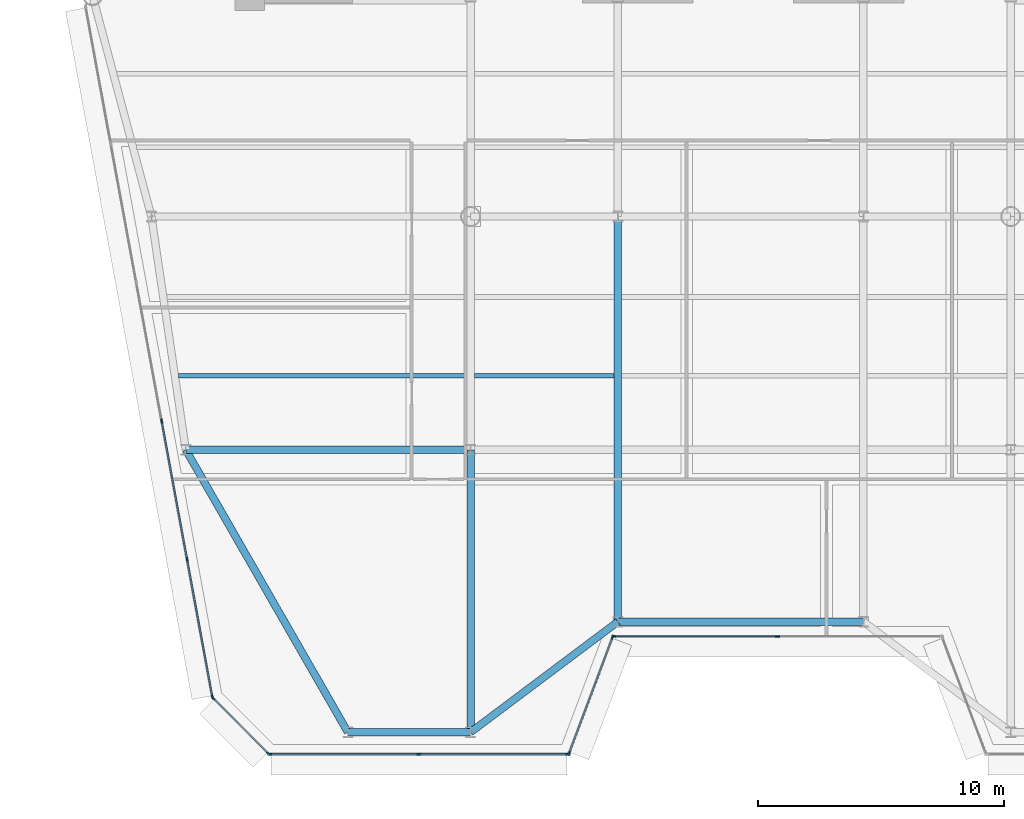
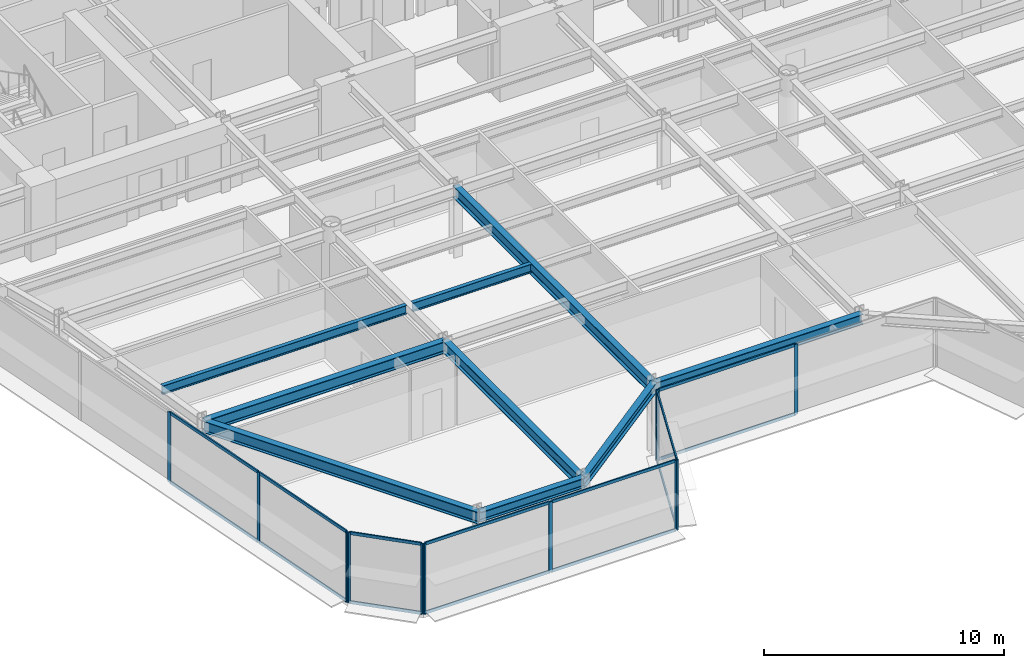
# One storey, part 2 of 16: 26 members, 9 beams, 5 elements without a shape of their own.
"""IFC4 building model written with IfcOpenShell, lengths in metres."""

from ifc_helpers import new_model, si_unit, direction, frame, origin, origin_2d, place, context, subcontext, project, spatial, rectangle, i_section, extrude, source, transform, mapped, material, layer, layer_set, material_profile, profile_set, type_object, element, aggregate, save


model = new_model("IFC4")

# Units and contexts
model_context = context("Model", 3, precision=1e-05, world=origin(), true_north=direction((0.0, 1.0)))
body_context = subcontext(model_context, "Body", "Model", "MODEL_VIEW")
ifc_project = project(units=[si_unit("LENGTHUNIT", "METRE"), si_unit("AREAUNIT", "SQUARE_METRE"), si_unit("VOLUMEUNIT", "CUBIC_METRE"), si_unit("PLANEANGLEUNIT", "RADIAN"), si_unit("MASSUNIT", "GRAM", prefix="KILO")], contexts=[model_context])

# Site, building, storey
site_placement = place(None, origin())
site = spatial("IfcSite", under=ifc_project, at=site_placement, CompositionType="ELEMENT")
building_placement = place(site_placement, origin())
building = spatial("IfcBuilding", under=site, at=building_placement, Name="Vaeldorn Concourse Tower", CompositionType="ELEMENT")
storey_placement = place(building_placement, frame((0.0, 0.0, 188.0)))
storey = spatial("IfcBuildingStorey", under=building, at=storey_placement, Name="L48", CompositionType="ELEMENT", Elevation=188.0)

# Beams
ifc_material_1 = material(Name="Steel S355", Category="steel")
ifc_material_profile_1 = material_profile(ifc_material_1, i_section(OverallWidth=0.300048828125, OverallDepth=0.5, WebThickness=0.014404296875, FlangeThickness=0.028076171875, FilletRadius=0.027099609375, at=origin_2d()), Name="HEB 500")
ifc_profile_set_1 = profile_set([ifc_material_profile_1], Name="Steel S355")
beam_type_1 = type_object("IfcBeamType", Name="BM-SP-HEB500", PredefinedType="SPANDREL", material=ifc_profile_set_1)
shared_shape_1 = source(origin(), body_context, "Body", "SweptSolid", [
    extrude(i_section(OverallWidth=0.300048828125, OverallDepth=0.5, WebThickness=0.014404296875, FlangeThickness=0.028076171875, FilletRadius=0.027099609375, at=origin_2d()), origin(), (0.0, 0.0, 1.0), 5.0),
])
beam_1_placement = place(storey_placement, frame((18.0, 6.5, 3.330078125), z_axis=(1.0, 0.0, 0.0), x_axis=(0.0, 1.0, 0.0)))
element("IfcBeam", 1, at=beam_1_placement, inside=storey, type_object=beam_type_1, Name="Beam BM-L48-C-SF1-C-SF2", PredefinedType="SPANDREL", context=body_context, shape_type="MappedRepresentation", body=[
    mapped(shared_shape_1, transform((0.0, 0.0, 0.0), scale=1.0)),
])
shared_shape_2 = source(origin(), body_context, "Body", "SweptSolid", [
    extrude(i_section(OverallWidth=0.300048828125, OverallDepth=0.5, WebThickness=0.014404296875, FlangeThickness=0.028076171875, FilletRadius=0.027099609375, at=origin_2d()), origin(), (0.0, 0.0, 1.0), 7.5),
])
beam_2_placement = place(storey_placement, frame((23.0, 6.5, 3.330078125), z_axis=(0.8, 0.6, 0.0), x_axis=(-0.6, 0.8, 0.0)))
element("IfcBeam", 2, at=beam_2_placement, inside=storey, type_object=beam_type_1, Name="Beam BM-L48-C-SF2-C-SF3", PredefinedType="SPANDREL", context=body_context, shape_type="MappedRepresentation", body=[
    mapped(shared_shape_2, transform((0.0, 0.0, 0.0), scale=1.0)),
])
shared_shape_3 = source(origin(), body_context, "Body", "SweptSolid", [
    extrude(i_section(OverallWidth=0.300048828125, OverallDepth=0.5, WebThickness=0.014404296875, FlangeThickness=0.028076171875, FilletRadius=0.027099609375, at=origin_2d()), origin(), (0.0, 0.0, 1.0), 10.0),
])
beam_3_placement = place(storey_placement, frame((29.0, 11.0, 3.330078125), z_axis=(1.0, 0.0, 0.0), x_axis=(0.0, 1.0, 0.0)))
element("IfcBeam", 3, at=beam_3_placement, inside=storey, type_object=beam_type_1, Name="Beam BM-L48-C-SF3-C-SF4", PredefinedType="SPANDREL", context=body_context, shape_type="MappedRepresentation", body=[
    mapped(shared_shape_3, transform((0.0, 0.0, 0.0), scale=1.0)),
])
ifc_material_profile_2 = material_profile(ifc_material_1, i_section(OverallWidth=0.18994140625, OverallDepth=0.449951171875, WebThickness=0.009521484375, FlangeThickness=0.0146484375, FilletRadius=0.02099609375, at=origin_2d()), Name="IPE 450")
ifc_profile_set_2 = profile_set([ifc_material_profile_2], Name="Steel S355")
beam_type_2 = type_object("IfcBeamType", Name="BM-JS-IPE450", PredefinedType="JOIST", material=ifc_profile_set_2)
shared_shape_4 = source(origin(), body_context, "Body", "SweptSolid", [
    extrude(i_section(OverallWidth=0.18994140625, OverallDepth=0.449951171875, WebThickness=0.009521484375, FlangeThickness=0.0146484375, FilletRadius=0.02099609375, at=origin_2d()), origin(), (0.0, 0.0, 1.0), 5.7001953125),
])
beam_4_placement = place(storey_placement, frame((23.14990234375, 21.02001953125, 3.35498046875), z_axis=(1.0, 0.0, 0.0), x_axis=(0.0, 1.0, 0.0)))
element("IfcBeam", 4, at=beam_4_placement, inside=storey, type_object=beam_type_2, Name="Beam JS-L48-W2-210", PredefinedType="JOIST", context=body_context, shape_type="MappedRepresentation", body=[
    mapped(shared_shape_4, transform((0.0, 0.0, 0.0), scale=1.0)),
])
shared_shape_5 = source(origin(), body_context, "Body", "SweptSolid", [
    extrude(i_section(OverallWidth=0.18994140625, OverallDepth=0.449951171875, WebThickness=0.009521484375, FlangeThickness=0.0146484375, FilletRadius=0.02099609375, at=origin_2d()), origin(), (0.0, 0.0, 1.0), 11.7451171875),
])
beam_5_placement = place(storey_placement, frame((11.10498046875, 21.02001953125, 3.35498046875), z_axis=(1.0, 0.0, 0.0), x_axis=(0.0, 1.0, 0.0)))
element("IfcBeam", 5, at=beam_5_placement, inside=storey, type_object=beam_type_2, Name="Beam JS-L48-W1-210", PredefinedType="JOIST", context=body_context, shape_type="MappedRepresentation", body=[
    mapped(shared_shape_5, transform((0.0, 0.0, 0.0), scale=1.0)),
])
ifc_material_profile_3 = material_profile(ifc_material_1, i_section(OverallWidth=0.300048828125, OverallDepth=0.60009765625, WebThickness=0.015380859375, FlangeThickness=0.030029296875, FilletRadius=0.027099609375, at=origin_2d()), Name="HEB 600")
ifc_profile_set_3 = profile_set([ifc_material_profile_3], Name="Steel S355")
beam_type_3 = type_object("IfcBeamType", Name="BM-PG-HEB600", PredefinedType="BEAM", material=ifc_profile_set_3)
shared_shape_6 = source(origin(), body_context, "Body", "SweptSolid", [
    extrude(i_section(OverallWidth=0.300048828125, OverallDepth=0.60009765625, WebThickness=0.015380859375, FlangeThickness=0.030029296875, FilletRadius=0.027099609375, at=origin_2d()), origin(), (0.0, 0.0, 1.0), 11.60009765625),
])
beam_6_placement = place(storey_placement, frame((11.39990234375, 18.0, 3.280029296875), z_axis=(1.0, 0.0, 0.0), x_axis=(0.0, 1.0, 0.0)))
element("IfcBeam", 6, at=beam_6_placement, inside=storey, type_object=beam_type_3, Name="Beam BM-L48-C-FLW2-C-TW5", PredefinedType="BEAM", context=body_context, shape_type="MappedRepresentation", body=[
    mapped(shared_shape_6, transform((0.0, 0.0, 0.0), scale=1.0)),
])
shared_shape_7 = source(origin(), body_context, "Body", "SweptSolid", [
    extrude(i_section(OverallWidth=0.300048828125, OverallDepth=0.60009765625, WebThickness=0.015380859375, FlangeThickness=0.030029296875, FilletRadius=0.027099609375, at=origin_2d()), origin(), (0.0, 0.0, 1.0), 13.25927734375),
])
beam_7_placement = place(storey_placement, frame((18.0, 6.5, 3.280029296875), z_axis=(-0.497768009943, 0.867310214558, 0.0), x_axis=(-0.867310214558, -0.497768009943, 0.0)))
element("IfcBeam", 7, at=beam_7_placement, inside=storey, type_object=beam_type_3, Name="Beam BM-L48-C-SF1-C-FLW2", PredefinedType="BEAM", context=body_context, shape_type="MappedRepresentation", body=[
    mapped(shared_shape_7, transform((0.0, 0.0, 0.0), scale=1.0)),
])
shared_shape_8 = source(origin(), body_context, "Body", "SweptSolid", [
    extrude(i_section(OverallWidth=0.300048828125, OverallDepth=0.60009765625, WebThickness=0.015380859375, FlangeThickness=0.030029296875, FilletRadius=0.027099609375, at=origin_2d()), origin(), (0.0, 0.0, 1.0), 11.5),
])
beam_8_placement = place(storey_placement, frame((23.0, 6.5, 3.280029296875), z_axis=(0.0, 1.0, 0.0), x_axis=(-1.0, 0.0, 0.0)))
element("IfcBeam", 8, at=beam_8_placement, inside=storey, type_object=beam_type_3, Name="Beam BM-L48-C-SF2-C-TW5", PredefinedType="BEAM", context=body_context, shape_type="MappedRepresentation", body=[
    mapped(shared_shape_8, transform((0.0, 0.0, 0.0), scale=1.0)),
])
shared_shape_9 = source(origin(), body_context, "Body", "SweptSolid", [
    extrude(i_section(OverallWidth=0.300048828125, OverallDepth=0.60009765625, WebThickness=0.015380859375, FlangeThickness=0.030029296875, FilletRadius=0.027099609375, at=origin_2d()), origin(), (0.0, 0.0, 1.0), 16.5),
])
beam_9_placement = place(storey_placement, frame((29.0, 11.0, 3.280029296875), z_axis=(0.0, 1.0, 0.0), x_axis=(-1.0, 0.0, 0.0)))
element("IfcBeam", 9, at=beam_9_placement, inside=storey, type_object=beam_type_3, Name="Beam BM-L48-C-SF3-C-TW2", PredefinedType="BEAM", context=body_context, shape_type="MappedRepresentation", body=[
    mapped(shared_shape_9, transform((0.0, 0.0, 0.0), scale=1.0)),
])

# Curtain wall, members
ifc_material_2 = material(Name="Anodised Bronze Aluminium", Category="aluminium")
ifc_layer = layer(ifc_material_2, 0.18994140625)
ifc_layer_set = layer_set([ifc_layer], Name="Anodised Bronze Aluminium")
curtain_wall_type = type_object("IfcCurtainWallType", Name="CW-SYS-03", PredefinedType="NOTDEFINED", material=ifc_layer_set)
curtain_wall_1_placement = place(storey_placement, origin())
curtain_wall_1 = element("IfcCurtainWall", 10, at=curtain_wall_1_placement, inside=storey, type_object=curtain_wall_type, Name="Unitised Curtain Wall CW-L48-E02-1", PredefinedType="NOTDEFINED")
ifc_material_profile_4 = material_profile(ifc_material_2, rectangle(XDim=0.06494140625, YDim=0.14990234375, at=origin_2d()), Name="CWT 65x150")
ifc_profile_set_4 = profile_set([ifc_material_profile_4], Name="Anodised Bronze Aluminium")
member_type_1 = type_object("IfcMemberType", Name="CWT-BRONZE-150", PredefinedType="USERDEFINED", material=ifc_profile_set_4)
shared_shape_10 = source(origin(), body_context, "Body", "SweptSolid", [
    extrude(rectangle(XDim=0.06494140625, YDim=0.14990234375, at=origin_2d()), origin(), (0.0, 0.0, 1.0), 4.996337890625),
])
member_1_placement = place(storey_placement, frame((27.022705078125, 5.660888671875, 0.032470703125), z_axis=(0.351134151405, 0.936325161318, 0.0), x_axis=(-0.936325161318, 0.351134151405, 0.0)))
member_1 = element("IfcMember", 11, at=member_1_placement, type_object=member_type_1, Name="CW-03 transom 1.1", ObjectType="TRANSOM", PredefinedType="USERDEFINED", context=body_context, shape_type="MappedRepresentation", body=[
    mapped(shared_shape_10, transform((0.0, 0.0, 0.0), scale=1.0)),
])
member_2_placement = place(storey_placement, frame((27.022705078125, 5.660888671875, 3.547607421875), z_axis=(0.351134151405, 0.936325161318, 0.0), x_axis=(-0.936325161318, 0.351134151405, 0.0)))
member_2 = element("IfcMember", 12, at=member_2_placement, type_object=member_type_1, Name="CW-03 transom 1.2", ObjectType="TRANSOM", PredefinedType="USERDEFINED", context=body_context, shape_type="MappedRepresentation", body=[
    mapped(shared_shape_10, transform((0.0, 0.0, 0.0), scale=1.0)),
])

curtain_wall_2_placement = place(storey_placement, origin())
curtain_wall_2 = element("IfcCurtainWall", 13, at=curtain_wall_2_placement, inside=storey, type_object=curtain_wall_type, Name="Unitised Curtain Wall CW-L48-E03-1", PredefinedType="NOTDEFINED")
shared_shape_11 = source(origin(), body_context, "Body", "SweptSolid", [
    extrude(rectangle(XDim=0.06494140625, YDim=0.14990234375, at=origin_2d()), origin(), (0.0, 0.0, 1.0), 6.6025390625),
])
member_3_placement = place(storey_placement, frame((28.864990234375, 10.39990234375, 0.032470703125), z_axis=(1.0, 0.0, 0.0), x_axis=(0.0, 1.0, 0.0)))
member_3 = element("IfcMember", 14, at=member_3_placement, type_object=member_type_1, Name="CW-03 transom 1.1", ObjectType="TRANSOM", PredefinedType="USERDEFINED", context=body_context, shape_type="MappedRepresentation", body=[
    mapped(shared_shape_11, transform((0.0, 0.0, 0.0), scale=1.0)),
])
member_4_placement = place(storey_placement, frame((28.864990234375, 10.39990234375, 3.547607421875), z_axis=(1.0, 0.0, 0.0), x_axis=(0.0, 1.0, 0.0)))
member_4 = element("IfcMember", 15, at=member_4_placement, type_object=member_type_1, Name="CW-03 transom 1.2", ObjectType="TRANSOM", PredefinedType="USERDEFINED", context=body_context, shape_type="MappedRepresentation", body=[
    mapped(shared_shape_11, transform((0.0, 0.0, 0.0), scale=1.0)),
])

curtain_wall_3_placement = place(storey_placement, origin())
curtain_wall_3 = element("IfcCurtainWall", 16, at=curtain_wall_3_placement, inside=storey, type_object=curtain_wall_type, Name="Unitised Curtain Wall CW-L48-E01-1", PredefinedType="NOTDEFINED")
ifc_material_profile_5 = material_profile(ifc_material_2, rectangle(XDim=0.06494140625, YDim=0.169921875, at=origin_2d()), Name="CWM 65x170")
ifc_profile_set_5 = profile_set([ifc_material_profile_5], Name="Anodised Bronze Aluminium")
member_type_2 = type_object("IfcMemberType", Name="CWM-BRONZE-170", PredefinedType="MULLION", material=ifc_profile_set_5)
shared_shape_12 = source(origin(), body_context, "Body", "SweptSolid", [
    extrude(rectangle(XDim=0.06494140625, YDim=0.169921875, at=origin_2d()), origin(), (0.0, 0.0, 1.0), 3.580078125),
])
member_5_placement = place(storey_placement, frame((14.823486328125, 5.60009765625, 0.0), z_axis=(0.0, 0.0, 1.0), x_axis=(0.0, 1.0, 0.0)))
member_5 = element("IfcMember", 17, at=member_5_placement, type_object=member_type_2, Name="CW-03 mullion 1", PredefinedType="MULLION", context=body_context, shape_type="MappedRepresentation", body=[
    mapped(shared_shape_12, transform((0.0, 0.0, 0.0), scale=1.0)),
])
member_6_placement = place(storey_placement, frame((20.8955078125, 5.60009765625, 0.0), z_axis=(0.0, 0.0, 1.0), x_axis=(0.0, 1.0, 0.0)))
member_6 = element("IfcMember", 18, at=member_6_placement, type_object=member_type_2, Name="CW-03 mullion 2", PredefinedType="MULLION", context=body_context, shape_type="MappedRepresentation", body=[
    mapped(shared_shape_12, transform((0.0, 0.0, 0.0), scale=1.0)),
])
member_7_placement = place(storey_placement, frame((26.967529296875, 5.60009765625, 0.0), z_axis=(0.0, 0.0, 1.0), x_axis=(0.0, 1.0, 0.0)))
member_7 = element("IfcMember", 19, at=member_7_placement, type_object=member_type_2, Name="CW-03 mullion 3", PredefinedType="MULLION", context=body_context, shape_type="MappedRepresentation", body=[
    mapped(shared_shape_12, transform((0.0, 0.0, 0.0), scale=1.0)),
])

# Member
member_8_placement = place(storey_placement, frame((27.011474609375, 5.63037109375, 0.0), z_axis=(0.0, 0.0, 1.0), x_axis=(-0.936329177566, 0.351123441595, 0.0)))
member_8 = element("IfcMember", 20, at=member_8_placement, type_object=member_type_2, Name="CW-03 mullion 1", PredefinedType="MULLION", context=body_context, shape_type="MappedRepresentation", body=[
    mapped(shared_shape_12, transform((0.0, 0.0, 0.0), scale=1.0)),
])

member_9_placement = place(storey_placement, frame((28.78857421875, 10.36962890625, 0.0), z_axis=(0.0, 0.0, 1.0), x_axis=(-0.936329177566, 0.351123441595, 0.0)))
member_9 = element("IfcMember", 21, at=member_9_placement, type_object=member_type_2, Name="CW-03 mullion 2", PredefinedType="MULLION", context=body_context, shape_type="MappedRepresentation", body=[
    mapped(shared_shape_12, transform((0.0, 0.0, 0.0), scale=1.0)),
])

aggregate(curtain_wall_1, [member_8, member_9, member_1, member_2])

member_10_placement = place(storey_placement, frame((28.83251953125, 10.39990234375, 0.0), z_axis=(0.0, 0.0, 1.0), x_axis=(0.0, 1.0, 0.0)))
member_10 = element("IfcMember", 22, at=member_10_placement, type_object=member_type_2, Name="CW-03 mullion 1", PredefinedType="MULLION", context=body_context, shape_type="MappedRepresentation", body=[
    mapped(shared_shape_12, transform((0.0, 0.0, 0.0), scale=1.0)),
])

member_11_placement = place(storey_placement, frame((35.5, 10.39990234375, 0.0), z_axis=(0.0, 0.0, 1.0), x_axis=(0.0, 1.0, 0.0)))
member_11 = element("IfcMember", 23, at=member_11_placement, type_object=member_type_2, Name="CW-03 mullion 2", PredefinedType="MULLION", context=body_context, shape_type="MappedRepresentation", body=[
    mapped(shared_shape_12, transform((0.0, 0.0, 0.0), scale=1.0)),
])

aggregate(curtain_wall_2, [member_10, member_11, member_3, member_4])

# Curtain wall, members
curtain_wall_4_placement = place(storey_placement, origin())
curtain_wall_4 = element("IfcCurtainWall", 24, at=curtain_wall_4_placement, inside=storey, type_object=curtain_wall_type, Name="Unitised Curtain Wall CW-L48-E11-2", PredefinedType="NOTDEFINED")
member_12_placement = place(storey_placement, frame((10.421142578125, 19.17333984375, 0.0), z_axis=(0.0, 0.0, 1.0), x_axis=(0.983559325018, 0.180585309951, 0.0)))
member_12 = element("IfcMember", 25, at=member_12_placement, type_object=member_type_2, Name="CW-03 mullion 4", PredefinedType="MULLION", context=body_context, shape_type="MappedRepresentation", body=[
    mapped(shared_shape_12, transform((0.0, 0.0, 0.0), scale=1.0)),
])
member_13_placement = place(storey_placement, frame((11.4560546875, 13.53662109375, 0.0), z_axis=(0.0, 0.0, 1.0), x_axis=(0.983559325018, 0.180585309951, 0.0)))
member_13 = element("IfcMember", 26, at=member_13_placement, type_object=member_type_2, Name="CW-03 mullion 5", PredefinedType="MULLION", context=body_context, shape_type="MappedRepresentation", body=[
    mapped(shared_shape_12, transform((0.0, 0.0, 0.0), scale=1.0)),
])
member_14_placement = place(storey_placement, frame((12.485107421875, 7.931884765625, 0.0), z_axis=(0.0, 0.0, 1.0), x_axis=(0.983559325018, 0.180585309951, 0.0)))
member_14 = element("IfcMember", 27, at=member_14_placement, type_object=member_type_2, Name="CW-03 mullion 6", PredefinedType="MULLION", context=body_context, shape_type="MappedRepresentation", body=[
    mapped(shared_shape_12, transform((0.0, 0.0, 0.0), scale=1.0)),
])

curtain_wall_5_placement = place(storey_placement, origin())
curtain_wall_5 = element("IfcCurtainWall", 28, at=curtain_wall_5_placement, inside=storey, type_object=curtain_wall_type, Name="Unitised Curtain Wall CW-L48-E12-1", PredefinedType="NOTDEFINED")
member_15_placement = place(storey_placement, frame((12.513916015625, 7.876953125, 0.0), z_axis=(0.0, 0.0, 1.0), x_axis=(0.707106781187, 0.707106781187, 0.0)))
member_15 = element("IfcMember", 29, at=member_15_placement, type_object=member_type_2, Name="CW-03 mullion 1", PredefinedType="MULLION", context=body_context, shape_type="MappedRepresentation", body=[
    mapped(shared_shape_12, transform((0.0, 0.0, 0.0), scale=1.0)),
])
member_16_placement = place(storey_placement, frame((14.76806640625, 5.623046875, 0.0), z_axis=(0.0, 0.0, 1.0), x_axis=(0.707106781187, 0.707106781187, 0.0)))
member_16 = element("IfcMember", 30, at=member_16_placement, type_object=member_type_2, Name="CW-03 mullion 2", PredefinedType="MULLION", context=body_context, shape_type="MappedRepresentation", body=[
    mapped(shared_shape_12, transform((0.0, 0.0, 0.0), scale=1.0)),
])
shared_shape_13 = source(origin(), body_context, "Body", "SweptSolid", [
    extrude(rectangle(XDim=0.06494140625, YDim=0.14990234375, at=origin_2d()), origin(), (0.0, 0.0, 1.0), 3.122802734375),
])
member_17_placement = place(storey_placement, frame((12.536865234375, 7.85400390625, 0.032470703125), z_axis=(0.707145870536, -0.707067689676, 0.0), x_axis=(0.707067689676, 0.707145870536, 0.0)))
member_17 = element("IfcMember", 31, at=member_17_placement, type_object=member_type_1, Name="CW-03 transom 1.1", ObjectType="TRANSOM", PredefinedType="USERDEFINED", context=body_context, shape_type="MappedRepresentation", body=[
    mapped(shared_shape_13, transform((0.0, 0.0, 0.0), scale=1.0)),
])
member_18_placement = place(storey_placement, frame((12.536865234375, 7.85400390625, 3.547607421875), z_axis=(0.707145870536, -0.707067689676, 0.0), x_axis=(0.707067689676, 0.707145870536, 0.0)))
member_18 = element("IfcMember", 32, at=member_18_placement, type_object=member_type_1, Name="CW-03 transom 1.2", ObjectType="TRANSOM", PredefinedType="USERDEFINED", context=body_context, shape_type="MappedRepresentation", body=[
    mapped(shared_shape_13, transform((0.0, 0.0, 0.0), scale=1.0)),
])
aggregate(curtain_wall_5, [member_15, member_16, member_17, member_18])

# Member
shared_shape_14 = source(origin(), body_context, "Body", "SweptSolid", [
    extrude(rectangle(XDim=0.06494140625, YDim=0.14990234375, at=origin_2d()), origin(), (0.0, 0.0, 1.0), 5.63330078125),
])
member_19_placement = place(storey_placement, frame((11.4619140625, 13.504638671875, 0.032470703125), z_axis=(0.180589917692, -0.983558479008, 0.0), x_axis=(0.983558479008, 0.180589917692, 0.0)))
member_19 = element("IfcMember", 33, at=member_19_placement, type_object=member_type_1, Name="CW-03 transom 5.1", ObjectType="TRANSOM", PredefinedType="USERDEFINED", context=body_context, shape_type="MappedRepresentation", body=[
    mapped(shared_shape_14, transform((0.0, 0.0, 0.0), scale=1.0)),
])

member_20_placement = place(storey_placement, frame((11.4619140625, 13.504638671875, 3.547607421875), z_axis=(0.180589917692, -0.983558479008, 0.0), x_axis=(0.983558479008, 0.180589917692, 0.0)))
member_20 = element("IfcMember", 34, at=member_20_placement, type_object=member_type_1, Name="CW-03 transom 5.2", ObjectType="TRANSOM", PredefinedType="USERDEFINED", context=body_context, shape_type="MappedRepresentation", body=[
    mapped(shared_shape_14, transform((0.0, 0.0, 0.0), scale=1.0)),
])

shared_shape_15 = source(origin(), body_context, "Body", "SweptSolid", [
    extrude(rectangle(XDim=0.06494140625, YDim=0.14990234375, at=origin_2d()), origin(), (0.0, 0.0, 1.0), 5.666015625),
])
member_21_placement = place(storey_placement, frame((10.427001953125, 19.141357421875, 0.032470703125), z_axis=(0.180587719149, -0.983558882677, 0.0), x_axis=(0.983558882677, 0.180587719149, 0.0)))
member_21 = element("IfcMember", 35, at=member_21_placement, type_object=member_type_1, Name="CW-03 transom 4.1", ObjectType="TRANSOM", PredefinedType="USERDEFINED", context=body_context, shape_type="MappedRepresentation", body=[
    mapped(shared_shape_15, transform((0.0, 0.0, 0.0), scale=1.0)),
])

member_22_placement = place(storey_placement, frame((10.427001953125, 19.141357421875, 3.547607421875), z_axis=(0.180587719149, -0.983558882677, 0.0), x_axis=(0.983558882677, 0.180587719149, 0.0)))
member_22 = element("IfcMember", 36, at=member_22_placement, type_object=member_type_1, Name="CW-03 transom 4.2", ObjectType="TRANSOM", PredefinedType="USERDEFINED", context=body_context, shape_type="MappedRepresentation", body=[
    mapped(shared_shape_15, transform((0.0, 0.0, 0.0), scale=1.0)),
])

aggregate(curtain_wall_4, [member_12, member_13, member_14, member_21, member_22, member_19, member_20])

shared_shape_16 = source(origin(), body_context, "Body", "SweptSolid", [
    extrude(rectangle(XDim=0.06494140625, YDim=0.14990234375, at=origin_2d()), origin(), (0.0, 0.0, 1.0), 6.007080078125),
])
member_23_placement = place(storey_placement, frame((14.85595703125, 5.60009765625, 0.032470703125), z_axis=(1.0, 0.0, 0.0), x_axis=(0.0, 1.0, 0.0)))
member_23 = element("IfcMember", 37, at=member_23_placement, type_object=member_type_1, Name="CW-03 transom 1.1", ObjectType="TRANSOM", PredefinedType="USERDEFINED", context=body_context, shape_type="MappedRepresentation", body=[
    mapped(shared_shape_16, transform((0.0, 0.0, 0.0), scale=1.0)),
])

member_24_placement = place(storey_placement, frame((14.85595703125, 5.60009765625, 3.547607421875), z_axis=(1.0, 0.0, 0.0), x_axis=(0.0, 1.0, 0.0)))
member_24 = element("IfcMember", 38, at=member_24_placement, type_object=member_type_1, Name="CW-03 transom 1.2", ObjectType="TRANSOM", PredefinedType="USERDEFINED", context=body_context, shape_type="MappedRepresentation", body=[
    mapped(shared_shape_16, transform((0.0, 0.0, 0.0), scale=1.0)),
])

member_25_placement = place(storey_placement, frame((20.927978515625, 5.60009765625, 0.032470703125), z_axis=(1.0, 0.0, 0.0), x_axis=(0.0, 1.0, 0.0)))
member_25 = element("IfcMember", 39, at=member_25_placement, type_object=member_type_1, Name="CW-03 transom 2.1", ObjectType="TRANSOM", PredefinedType="USERDEFINED", context=body_context, shape_type="MappedRepresentation", body=[
    mapped(shared_shape_16, transform((0.0, 0.0, 0.0), scale=1.0)),
])

member_26_placement = place(storey_placement, frame((20.927978515625, 5.60009765625, 3.547607421875), z_axis=(1.0, 0.0, 0.0), x_axis=(0.0, 1.0, 0.0)))
member_26 = element("IfcMember", 40, at=member_26_placement, type_object=member_type_1, Name="CW-03 transom 2.2", ObjectType="TRANSOM", PredefinedType="USERDEFINED", context=body_context, shape_type="MappedRepresentation", body=[
    mapped(shared_shape_16, transform((0.0, 0.0, 0.0), scale=1.0)),
])

aggregate(curtain_wall_3, [member_5, member_6, member_7, member_23, member_24, member_25, member_26])

save(model, "model.ifc")
